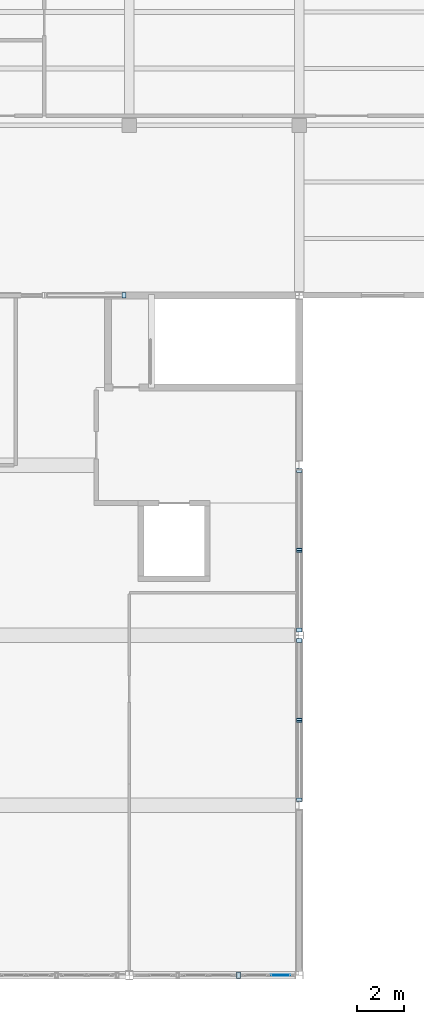
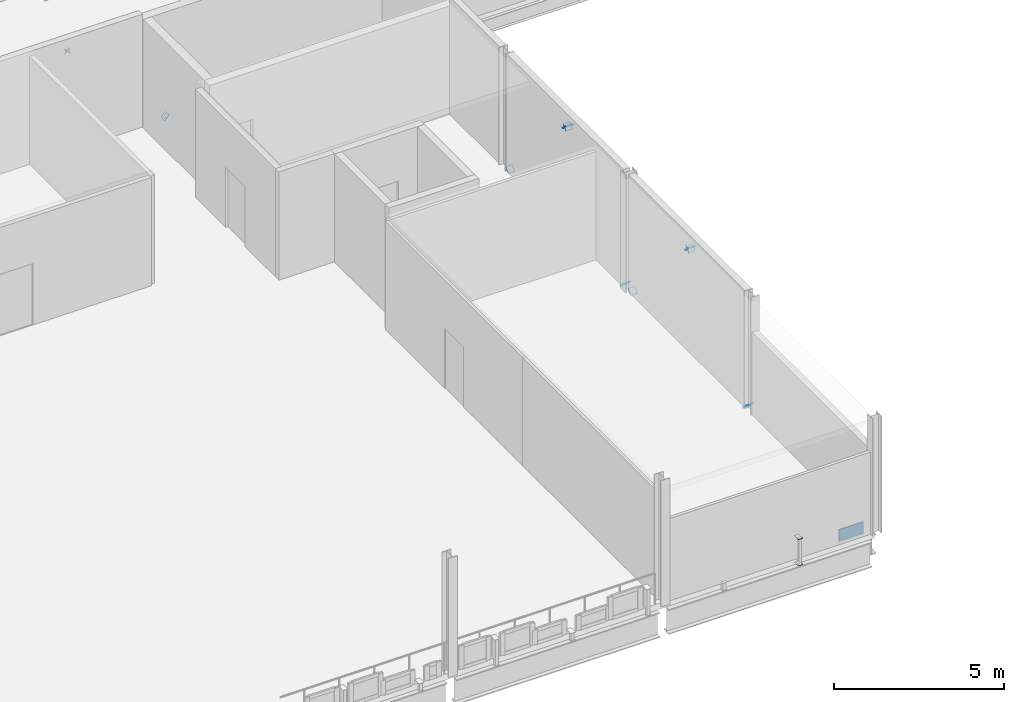
# One storey, part 15 of 20: 12 plates, 1 element without a shape of its own.
"""IFC4 building model written with IfcOpenShell, lengths in metres."""

from ifc_helpers import new_model, si_unit, direction, frame, origin, origin_2d, place, context, subcontext, project, spatial, rectangle, extrude, material, layer, layer_set, type_object, element, aggregate, save


model = new_model("IFC4")

# Units and contexts
model_context = context("Model", 3, precision=1e-05, world=origin(), true_north=direction((0.0, 1.0)))
body_context = subcontext(model_context, "Body", "Model", "MODEL_VIEW")
ifc_project = project(units=[si_unit("LENGTHUNIT", "METRE"), si_unit("AREAUNIT", "SQUARE_METRE"), si_unit("VOLUMEUNIT", "CUBIC_METRE"), si_unit("PLANEANGLEUNIT", "RADIAN"), si_unit("MASSUNIT", "GRAM", prefix="KILO"), si_unit("THERMODYNAMICTEMPERATUREUNIT", "KELVIN"), si_unit("POWERUNIT", "WATT")], contexts=[model_context])

# Site, building, storey
site_placement = place(None, origin())
site = spatial("IfcSite", under=ifc_project, at=site_placement, CompositionType="ELEMENT")
building_placement = place(site_placement, origin())
building = spatial("IfcBuilding", under=site, at=building_placement, Name="Kaldorven Railside Theatre", CompositionType="ELEMENT")
storey_placement = place(building_placement, frame((0.0, 0.0, 23.10009765625)))
storey = spatial("IfcBuildingStorey", under=building, at=storey_placement, Name="L05", CompositionType="ELEMENT", Elevation=23.10009765625)

# Curtain wall, plate
ifc_material_1 = material(Name="Low-E laminated solar-control glass", Category="glass")
ifc_layer_1 = layer(ifc_material_1, 0.159912109375, Name="Low-E laminated solar-control glass")
ifc_layer_set_1 = layer_set([ifc_layer_1], Name="Low-E laminated solar-control glass")
curtain_wall_type = type_object("IfcCurtainWallType", Name="CWT-41", PredefinedType="USERDEFINED", material=ifc_layer_set_1)
curtain_wall_placement = place(storey_placement, origin())
curtain_wall = element("IfcCurtainWall", 1, at=curtain_wall_placement, inside=storey, type_object=curtain_wall_type, Name="Main Theatre North Ridge Clerestory CWG-060", ObjectType="FLUTED GLAZING", PredefinedType="USERDEFINED")
ifc_layer_2 = layer(ifc_material_1, 0.028076171875, Name="Low-E laminated solar-control glass")
ifc_layer_set_2 = layer_set([ifc_layer_2], Name="Low-E laminated solar-control glass")
plate_type_1 = type_object("IfcPlateType", Name="CWP-GLZ28", PredefinedType="CURTAIN_PANEL", material=ifc_layer_set_2)
plate_placement = place(storey_placement, frame((122.406982421875, 84.0, 0.080078125), z_axis=(0.0, 0.0, 1.0), x_axis=(1.0, 0.0, 0.0)))
plate = element("IfcPlate", 2, at=plate_placement, type_object=plate_type_1, Name="CWG-060 panel 1.1", PredefinedType="CURTAIN_PANEL", context=body_context, shape_type="SweptSolid", body=[
    extrude(rectangle(XDim=0.825439453125, YDim=0.028076171875, at=origin_2d()), origin(), (0.0, 0.0, 1.0), 0.429931640625),
])
aggregate(curtain_wall, [plate])

# Plates
ifc_material_2 = material(Name="Steel S355", Category="steel")
ifc_layer_3 = layer(ifc_material_2, 0.011962890625, Name="Steel S355")
ifc_layer_set_3 = layer_set([ifc_layer_3], Name="Steel S355")
plate_type_2 = type_object("IfcPlateType", Name="PLT-CAP-12", PredefinedType="USERDEFINED", material=ifc_layer_set_3)
for number, where, z_axis, x_axis, name in (
    (3, (123.199951171875, 91.4130859375, 0.03271484375), (0.0, 0.686453193248, 0.727173991201), (-1.0, 0.0, 0.0), "End cap gusset plate PL-0105"),
    (4, (123.199951171875, 94.798583984375, 3.618408203125), (0.0, 0.686453193248, 0.727173991201), (-1.0, 0.0, 0.0), "End cap gusset plate PL-0106"),
    (5, (123.199951171875, 98.186767578125, 0.03271484375), (0.0, -0.686453193248, 0.727173991201), (1.0, 0.0, 0.0), "End cap gusset plate PL-0107"),
    (6, (123.199951171875, 94.801513671875, 3.618408203125), (0.0, -0.686453193248, 0.727173991201), (1.0, 0.0, 0.0), "End cap gusset plate PL-0108"),
    (7, (123.199951171875, 98.613037109375, 0.03271484375), (0.0, 0.686453193248, 0.727173991201), (-1.0, 0.0, 0.0), "End cap gusset plate PL-0109"),
    (8, (123.199951171875, 101.99853515625, 3.618408203125), (0.0, 0.686453193248, 0.727173991201), (-1.0, 0.0, 0.0), "End cap gusset plate PL-0110"),
    (9, (123.199951171875, 105.386962890625, 0.03271484375), (0.0, -0.686453193248, 0.727173991201), (1.0, 0.0, 0.0), "End cap gusset plate PL-0111"),
    (10, (123.199951171875, 102.00146484375, 3.618408203125), (0.0, -0.686453193248, 0.727173991201), (1.0, 0.0, 0.0), "End cap gusset plate PL-0112"),
    (11, (115.786865234375, 112.800048828125, 0.03271484375), (-0.686453193248, 0.0, 0.727173991201), (0.0, -1.0, 0.0), "End cap gusset plate PL-0119"),
):
    element("IfcPlate", number, at=place(storey_placement, frame(where, z_axis=z_axis, x_axis=x_axis)), inside=storey, type_object=plate_type_2, Name=name, ObjectType="CAP PLATE", PredefinedType="USERDEFINED", context=body_context, shape_type="SweptSolid", body=[
        extrude(rectangle(XDim=0.22802734375, YDim=0.22802734375, at=origin_2d()), origin(), (0.0, 0.0, 1.0), 0.011962890625),
    ])
for number, where, z_axis, x_axis, name in (
    (12, (120.62841796875, 84.0, -0.22998046875), (0.0, 0.0, 1.0), (1.0, 0.0, 0.0), "End cap gusset plate PL-0159"),
    (13, (120.62841796875, 84.0, 0.71923828125), (0.0, 0.0, 1.0), (1.0, 0.0, 0.0), "End cap gusset plate PL-0160"),
):
    element("IfcPlate", number, at=place(storey_placement, frame(where, z_axis=z_axis, x_axis=x_axis)), inside=storey, type_object=plate_type_2, Name=name, ObjectType="CAP PLATE", PredefinedType="USERDEFINED", context=body_context, shape_type="SweptSolid", body=[
        extrude(rectangle(XDim=0.159912109375, YDim=0.260009765625, at=origin_2d()), origin(), (0.0, 0.0, 1.0), 0.011962890625),
    ])

save(model, "model.ifc")
